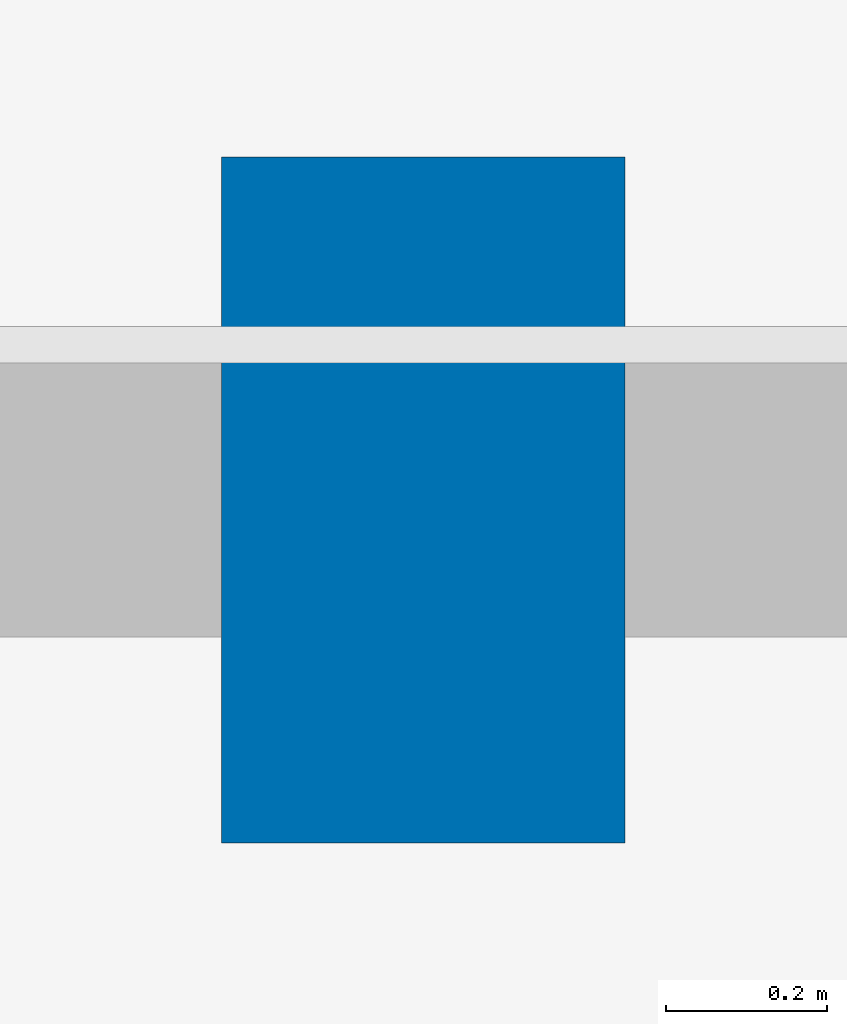
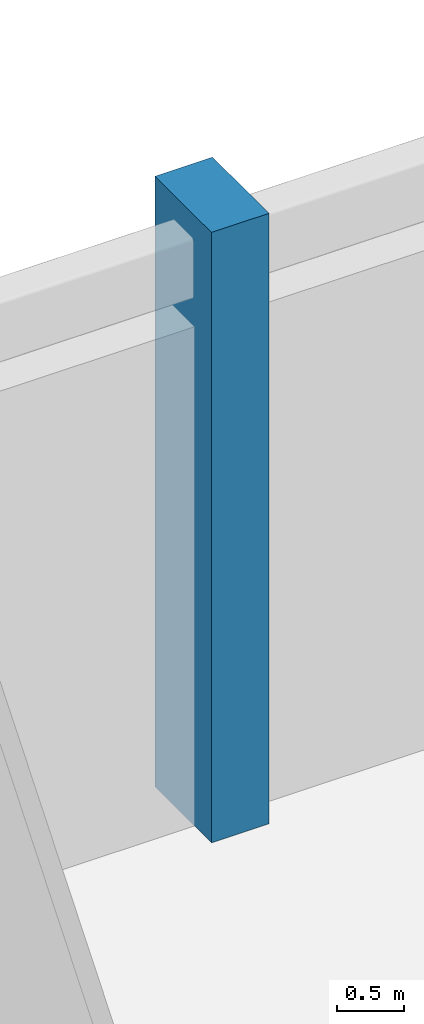
# One storey, part 16 of 128: 1 column.
"""IFC4 building model written with IfcOpenShell, lengths in metres."""

from ifc_helpers import new_model, si_unit, direction, frame, origin, origin_2d, place, context, subcontext, project, spatial, rectangle, extrude, material, material_profile, profile_set, type_object, element, save


model = new_model("IFC4")

# Units and contexts
model_context = context("Model", 3, precision=1e-05, world=origin(), true_north=direction((0.0, 1.0)))
body_context = subcontext(model_context, "Body", "Model", "MODEL_VIEW")
ifc_project = project(units=[si_unit("LENGTHUNIT", "METRE"), si_unit("AREAUNIT", "SQUARE_METRE"), si_unit("VOLUMEUNIT", "CUBIC_METRE"), si_unit("PLANEANGLEUNIT", "RADIAN"), si_unit("MASSUNIT", "GRAM", prefix="KILO")], contexts=[model_context])

# Site, building, storey
site_placement = place(None, origin())
site = spatial("IfcSite", under=ifc_project, at=site_placement, CompositionType="ELEMENT")
building_placement = place(site_placement, origin())
building = spatial("IfcBuilding", under=site, at=building_placement, Name="Solmirada Galleria", CompositionType="ELEMENT")
storey_placement = place(building_placement, origin())
storey = spatial("IfcBuildingStorey", under=building, at=storey_placement, Name="L00", CompositionType="ELEMENT", Elevation=0.0)

# Column
ifc_material = material(Name="Precast concrete C40/50", Category="concrete")
ifc_material_profile = material_profile(ifc_material, rectangle(XDim=0.5, YDim=0.85009765625, at=origin_2d()), Name="RC850X500")
ifc_profile_set = profile_set([ifc_material_profile], Name="Precast concrete C40/50")
column_type = type_object("IfcColumnType", Name="PIL-RC850", PredefinedType="PILASTER", material=ifc_profile_set)
column_placement = place(storey_placement, frame((68.0, 120.0, 0.0), z_axis=(0.0, 0.0, 1.0), x_axis=(1.0, 0.0, 0.0)))
element("IfcColumn", 1, at=column_placement, inside=storey, type_object=column_type, Name="Avenue pilaster L00-006", PredefinedType="PILASTER", context=body_context, shape_type="SweptSolid", body=[
    extrude(rectangle(XDim=0.5, YDim=0.85009765625, at=origin_2d()), origin(), (0.0, 0.0, 1.0), 5.60009765625),
])

save(model, "model.ifc")
